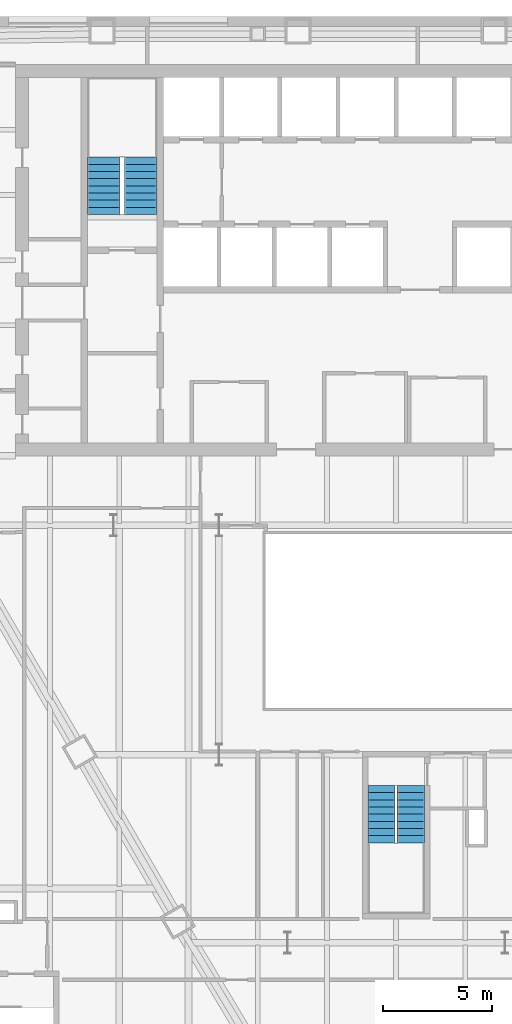
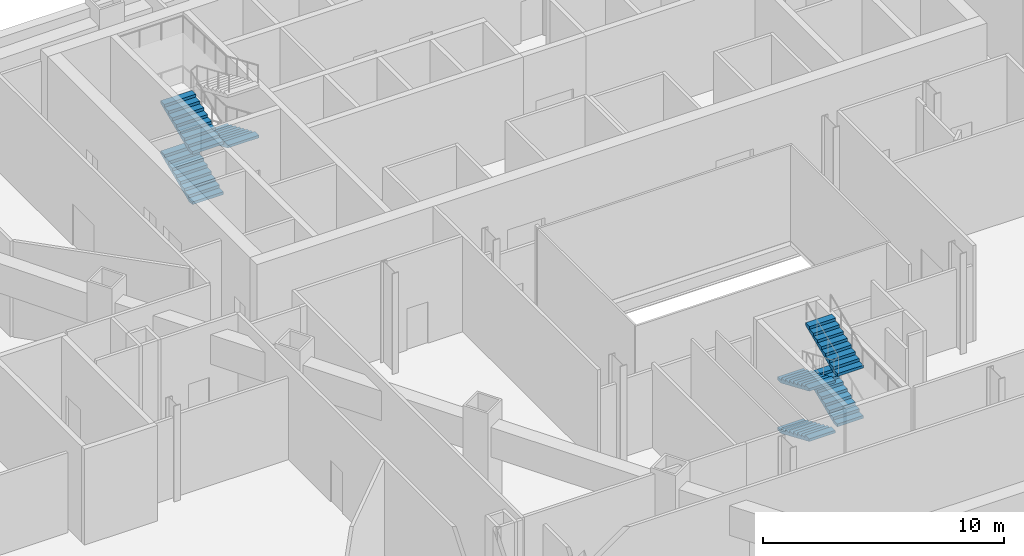
# One storey, part 15 of 17: 7 stair flights, 2 elements without a shape of their own.
"""IFC4 building model written with IfcOpenShell, lengths in metres."""

from ifc_helpers import new_model, si_unit, direction, frame, origin, place, context, subcontext, project, spatial, polygons, material, type_object, element, aggregate, save


model = new_model("IFC4")

# Units and contexts
model_context = context("Model", 3, precision=1e-05, world=origin(), true_north=direction((0.0, 1.0)))
body_context = subcontext(model_context, "Body", "Model", "MODEL_VIEW")
ifc_project = project(units=[si_unit("LENGTHUNIT", "METRE"), si_unit("AREAUNIT", "SQUARE_METRE"), si_unit("VOLUMEUNIT", "CUBIC_METRE"), si_unit("PLANEANGLEUNIT", "RADIAN"), si_unit("MASSUNIT", "GRAM", prefix="KILO")], contexts=[model_context])

# Site, building, storey
site_placement = place(None, origin())
site = spatial("IfcSite", under=ifc_project, at=site_placement, CompositionType="ELEMENT")
building_placement = place(site_placement, origin())
building = spatial("IfcBuilding", under=site, at=building_placement, Name="Njiva Tower", CompositionType="ELEMENT")
storey_placement = place(building_placement, frame((0.0, 0.0, 23.7)))
storey = spatial("IfcBuildingStorey", under=building, at=storey_placement, Name="L04", CompositionType="ELEMENT", Elevation=23.7)

# Stair, stair flights
ifc_material = material(Name="Concrete C40/50", Category="concrete")
stair_type_1 = type_object("IfcStairType", Name="ST1 Exit stair 1250", PredefinedType="HALF_TURN_STAIR", material=ifc_material)
stair_1_placement = place(storey_placement, origin())
stair_1 = element("IfcStair", 1, at=stair_1_placement, inside=storey, type_object=stair_type_1, Name="Stair C", PredefinedType="DOUBLE_RETURN_STAIR")
stair_flight_type_1 = type_object("IfcStairFlightType", Name="FL1 Stair flight 1250", PredefinedType="STRAIGHT", material=ifc_material)
stair_flight_1_placement = place(storey_placement, frame((-0.675, -15.16, 0.0), z_axis=(0.0, 0.0, 1.0), x_axis=(0.0, -1.0, 0.0)))
stair_flight_1 = element("IfcStairFlight", 2, at=stair_flight_1_placement, type_object=stair_flight_type_1, Name="ST-C flight 1", NumberOfRisers=9, NumberOfTreads=8, PredefinedType="STRAIGHT", RiserHeight=0.141666667, TreadLength=0.33, context=body_context, shape_type="Tessellation", body=[
    polygons([(0.0, 0.625, 0.0), (0.0, 0.3125, 0.0), (0.0, 0.0, 0.0), (0.0, -0.3125, 0.0), (0.0, -0.625, 0.0), (0.0, 0.625, 0.1417), (0.0, 0.3125, 0.1417), (0.0, 0.0, 0.1417), (0.0, -0.3125, 0.1417), (0.0, -0.625, 0.1417), (0.33, 0.625, 0.1417), (0.33, 0.3125, 0.1417), (0.33, 0.0, 0.1417), (0.33, -0.3125, 0.1417), (0.33, -0.625, 0.1417), (0.33, 0.625, 0.2833), (0.33, 0.3125, 0.2833), (0.33, 0.0, 0.2833), (0.33, -0.3125, 0.2833), (0.33, -0.625, 0.2833), (0.66, 0.625, 0.2833), (0.66, 0.3125, 0.2833), (0.66, 0.0, 0.2833), (0.66, -0.3125, 0.2833), (0.66, -0.625, 0.2833), (0.66, 0.625, 0.425), (0.66, 0.3125, 0.425), (0.66, 0.0, 0.425), (0.66, -0.3125, 0.425), (0.66, -0.625, 0.425), (0.99, 0.625, 0.425), (0.99, 0.3125, 0.425), (0.99, 0.0, 0.425), (0.99, -0.3125, 0.425), (0.99, -0.625, 0.425), (0.99, 0.625, 0.5667), (0.99, 0.3125, 0.5667), (0.99, 0.0, 0.5667), (0.99, -0.3125, 0.5667), (0.99, -0.625, 0.5667), (1.32, 0.625, 0.5667), (1.32, 0.3125, 0.5667), (1.32, 0.0, 0.5667), (1.32, -0.3125, 0.5667), (1.32, -0.625, 0.5667), (1.32, 0.625, 0.7083), (1.32, 0.3125, 0.7083), (1.32, 0.0, 0.7083), (1.32, -0.3125, 0.7083), (1.32, -0.625, 0.7083), (1.65, 0.625, 0.7083), (1.65, 0.3125, 0.7083), (1.65, 0.0, 0.7083), (1.65, -0.3125, 0.7083), (1.65, -0.625, 0.7083), (1.65, 0.625, 0.85), (1.65, 0.3125, 0.85), (1.65, 0.0, 0.85), (1.65, -0.3125, 0.85), (1.65, -0.625, 0.85), (1.98, 0.625, 0.85), (1.98, 0.3125, 0.85), (1.98, 0.0, 0.85), (1.98, -0.3125, 0.85), (1.98, -0.625, 0.85), (1.98, 0.625, 0.9917), (1.98, 0.3125, 0.9917), (1.98, 0.0, 0.9917), (1.98, -0.3125, 0.9917), (1.98, -0.625, 0.9917), (2.31, 0.625, 0.9917), (2.31, 0.3125, 0.9917), (2.31, 0.0, 0.9917), (2.31, -0.3125, 0.9917), (2.31, -0.625, 0.9917), (2.31, 0.625, 1.1333), (2.31, 0.3125, 1.1333), (2.31, 0.0, 1.1333), (2.31, -0.3125, 1.1333), (2.31, -0.625, 1.1333), (2.64, 0.625, 1.1333), (2.64, 0.3125, 1.1333), (2.64, 0.0, 1.1333), (2.64, -0.3125, 1.1333), (2.64, -0.625, 1.1333), (2.64, 0.625, 1.0027), (2.64, 0.3125, 1.0027), (2.64, 0.0, 1.0027), (2.64, -0.3125, 1.0027), (2.64, -0.625, 1.0027), (0.3042, 0.625, 0.0), (0.3042, 0.3125, 0.0), (0.3042, 0.0, 0.0), (0.3042, -0.3125, 0.0), (0.3042, -0.625, 0.0)], [[[1, 6, 11, 16, 21, 26, 31, 36, 41, 46, 51, 56, 61, 66, 71, 76, 81, 86, 91]], [[95, 90, 85, 80, 75, 70, 65, 60, 55, 50, 45, 40, 35, 30, 25, 20, 15, 10, 5]], [[6, 1, 2, 7]], [[7, 2, 3, 8]], [[8, 3, 4, 9]], [[9, 4, 5, 10]], [[11, 6, 7, 12]], [[12, 7, 8, 13]], [[13, 8, 9, 14]], [[14, 9, 10, 15]], [[16, 11, 12, 17]], [[17, 12, 13, 18]], [[18, 13, 14, 19]], [[19, 14, 15, 20]], [[21, 16, 17, 22]], [[22, 17, 18, 23]], [[23, 18, 19, 24]], [[24, 19, 20, 25]], [[26, 21, 22, 27]], [[27, 22, 23, 28]], [[28, 23, 24, 29]], [[29, 24, 25, 30]], [[31, 26, 27, 32]], [[32, 27, 28, 33]], [[33, 28, 29, 34]], [[34, 29, 30, 35]], [[36, 31, 32, 37]], [[37, 32, 33, 38]], [[38, 33, 34, 39]], [[39, 34, 35, 40]], [[41, 36, 37, 42]], [[42, 37, 38, 43]], [[43, 38, 39, 44]], [[44, 39, 40, 45]], [[46, 41, 42, 47]], [[47, 42, 43, 48]], [[48, 43, 44, 49]], [[49, 44, 45, 50]], [[51, 46, 47, 52]], [[52, 47, 48, 53]], [[53, 48, 49, 54]], [[54, 49, 50, 55]], [[56, 51, 52, 57]], [[57, 52, 53, 58]], [[58, 53, 54, 59]], [[59, 54, 55, 60]], [[61, 56, 57, 62]], [[62, 57, 58, 63]], [[63, 58, 59, 64]], [[64, 59, 60, 65]], [[66, 61, 62, 67]], [[67, 62, 63, 68]], [[68, 63, 64, 69]], [[69, 64, 65, 70]], [[71, 66, 67, 72]], [[72, 67, 68, 73]], [[73, 68, 69, 74]], [[74, 69, 70, 75]], [[76, 71, 72, 77]], [[77, 72, 73, 78]], [[78, 73, 74, 79]], [[79, 74, 75, 80]], [[81, 76, 77, 82]], [[82, 77, 78, 83]], [[83, 78, 79, 84]], [[84, 79, 80, 85]], [[86, 81, 82, 87]], [[87, 82, 83, 88]], [[88, 83, 84, 89]], [[89, 84, 85, 90]], [[91, 86, 87, 92]], [[92, 87, 88, 93]], [[93, 88, 89, 94]], [[94, 89, 90, 95]], [[1, 91, 92, 2]], [[2, 92, 93, 3]], [[3, 93, 94, 4]], [[4, 94, 95, 5]]], closed=True),
])
stair_flight_2_placement = place(storey_placement, frame((0.675, -17.8, 1.275), z_axis=(0.0, 0.0, 1.0), x_axis=(0.0, 1.0, 0.0)))
stair_flight_2 = element("IfcStairFlight", 3, at=stair_flight_2_placement, type_object=stair_flight_type_1, Name="ST-C flight 2", NumberOfRisers=9, NumberOfTreads=8, PredefinedType="STRAIGHT", RiserHeight=0.141666667, TreadLength=0.33, context=body_context, shape_type="Tessellation", body=[
    polygons([(0.0, 0.625, 0.0), (0.0, 0.3125, 0.0), (0.0, 0.0, 0.0), (0.0, -0.3125, 0.0), (0.0, -0.625, 0.0), (0.0, 0.625, 0.1417), (0.0, 0.3125, 0.1417), (0.0, 0.0, 0.1417), (0.0, -0.3125, 0.1417), (0.0, -0.625, 0.1417), (0.33, 0.625, 0.1417), (0.33, 0.3125, 0.1417), (0.33, 0.0, 0.1417), (0.33, -0.3125, 0.1417), (0.33, -0.625, 0.1417), (0.33, 0.625, 0.2833), (0.33, 0.3125, 0.2833), (0.33, 0.0, 0.2833), (0.33, -0.3125, 0.2833), (0.33, -0.625, 0.2833), (0.66, 0.625, 0.2833), (0.66, 0.3125, 0.2833), (0.66, 0.0, 0.2833), (0.66, -0.3125, 0.2833), (0.66, -0.625, 0.2833), (0.66, 0.625, 0.425), (0.66, 0.3125, 0.425), (0.66, 0.0, 0.425), (0.66, -0.3125, 0.425), (0.66, -0.625, 0.425), (0.99, 0.625, 0.425), (0.99, 0.3125, 0.425), (0.99, 0.0, 0.425), (0.99, -0.3125, 0.425), (0.99, -0.625, 0.425), (0.99, 0.625, 0.5667), (0.99, 0.3125, 0.5667), (0.99, 0.0, 0.5667), (0.99, -0.3125, 0.5667), (0.99, -0.625, 0.5667), (1.32, 0.625, 0.5667), (1.32, 0.3125, 0.5667), (1.32, 0.0, 0.5667), (1.32, -0.3125, 0.5667), (1.32, -0.625, 0.5667), (1.32, 0.625, 0.7083), (1.32, 0.3125, 0.7083), (1.32, 0.0, 0.7083), (1.32, -0.3125, 0.7083), (1.32, -0.625, 0.7083), (1.65, 0.625, 0.7083), (1.65, 0.3125, 0.7083), (1.65, 0.0, 0.7083), (1.65, -0.3125, 0.7083), (1.65, -0.625, 0.7083), (1.65, 0.625, 0.85), (1.65, 0.3125, 0.85), (1.65, 0.0, 0.85), (1.65, -0.3125, 0.85), (1.65, -0.625, 0.85), (1.98, 0.625, 0.85), (1.98, 0.3125, 0.85), (1.98, 0.0, 0.85), (1.98, -0.3125, 0.85), (1.98, -0.625, 0.85), (1.98, 0.625, 0.9917), (1.98, 0.3125, 0.9917), (1.98, 0.0, 0.9917), (1.98, -0.3125, 0.9917), (1.98, -0.625, 0.9917), (2.31, 0.625, 0.9917), (2.31, 0.3125, 0.9917), (2.31, 0.0, 0.9917), (2.31, -0.3125, 0.9917), (2.31, -0.625, 0.9917), (2.31, 0.625, 1.1333), (2.31, 0.3125, 1.1333), (2.31, 0.0, 1.1333), (2.31, -0.3125, 1.1333), (2.31, -0.625, 1.1333), (2.64, 0.625, 1.1333), (2.64, 0.3125, 1.1333), (2.64, 0.0, 1.1333), (2.64, -0.3125, 1.1333), (2.64, -0.625, 1.1333), (2.64, 0.625, 1.0027), (2.64, 0.3125, 1.0027), (2.64, 0.0, 1.0027), (2.64, -0.3125, 1.0027), (2.64, -0.625, 1.0027), (0.3042, 0.625, 0.0), (0.3042, 0.3125, 0.0), (0.3042, 0.0, 0.0), (0.3042, -0.3125, 0.0), (0.3042, -0.625, 0.0)], [[[1, 6, 11, 16, 21, 26, 31, 36, 41, 46, 51, 56, 61, 66, 71, 76, 81, 86, 91]], [[95, 90, 85, 80, 75, 70, 65, 60, 55, 50, 45, 40, 35, 30, 25, 20, 15, 10, 5]], [[6, 1, 2, 7]], [[7, 2, 3, 8]], [[8, 3, 4, 9]], [[9, 4, 5, 10]], [[11, 6, 7, 12]], [[12, 7, 8, 13]], [[13, 8, 9, 14]], [[14, 9, 10, 15]], [[16, 11, 12, 17]], [[17, 12, 13, 18]], [[18, 13, 14, 19]], [[19, 14, 15, 20]], [[21, 16, 17, 22]], [[22, 17, 18, 23]], [[23, 18, 19, 24]], [[24, 19, 20, 25]], [[26, 21, 22, 27]], [[27, 22, 23, 28]], [[28, 23, 24, 29]], [[29, 24, 25, 30]], [[31, 26, 27, 32]], [[32, 27, 28, 33]], [[33, 28, 29, 34]], [[34, 29, 30, 35]], [[36, 31, 32, 37]], [[37, 32, 33, 38]], [[38, 33, 34, 39]], [[39, 34, 35, 40]], [[41, 36, 37, 42]], [[42, 37, 38, 43]], [[43, 38, 39, 44]], [[44, 39, 40, 45]], [[46, 41, 42, 47]], [[47, 42, 43, 48]], [[48, 43, 44, 49]], [[49, 44, 45, 50]], [[51, 46, 47, 52]], [[52, 47, 48, 53]], [[53, 48, 49, 54]], [[54, 49, 50, 55]], [[56, 51, 52, 57]], [[57, 52, 53, 58]], [[58, 53, 54, 59]], [[59, 54, 55, 60]], [[61, 56, 57, 62]], [[62, 57, 58, 63]], [[63, 58, 59, 64]], [[64, 59, 60, 65]], [[66, 61, 62, 67]], [[67, 62, 63, 68]], [[68, 63, 64, 69]], [[69, 64, 65, 70]], [[71, 66, 67, 72]], [[72, 67, 68, 73]], [[73, 68, 69, 74]], [[74, 69, 70, 75]], [[76, 71, 72, 77]], [[77, 72, 73, 78]], [[78, 73, 74, 79]], [[79, 74, 75, 80]], [[81, 76, 77, 82]], [[82, 77, 78, 83]], [[83, 78, 79, 84]], [[84, 79, 80, 85]], [[86, 81, 82, 87]], [[87, 82, 83, 88]], [[88, 83, 84, 89]], [[89, 84, 85, 90]], [[91, 86, 87, 92]], [[92, 87, 88, 93]], [[93, 88, 89, 94]], [[94, 89, 90, 95]], [[1, 91, 92, 2]], [[2, 92, 93, 3]], [[3, 93, 94, 4]], [[4, 94, 95, 5]]], closed=True),
])
stair_flight_3_placement = place(storey_placement, frame((-0.675, -15.16, 2.55), z_axis=(0.0, 0.0, 1.0), x_axis=(0.0, -1.0, 0.0)))
stair_flight_3 = element("IfcStairFlight", 4, at=stair_flight_3_placement, type_object=stair_flight_type_1, Name="ST-C flight 3", NumberOfRisers=9, NumberOfTreads=8, PredefinedType="STRAIGHT", RiserHeight=0.141666667, TreadLength=0.33, context=body_context, shape_type="Tessellation", body=[
    polygons([(0.0, 0.625, 0.0), (0.0, 0.3125, 0.0), (0.0, 0.0, 0.0), (0.0, -0.3125, 0.0), (0.0, -0.625, 0.0), (0.0, 0.625, 0.1417), (0.0, 0.3125, 0.1417), (0.0, 0.0, 0.1417), (0.0, -0.3125, 0.1417), (0.0, -0.625, 0.1417), (0.33, 0.625, 0.1417), (0.33, 0.3125, 0.1417), (0.33, 0.0, 0.1417), (0.33, -0.3125, 0.1417), (0.33, -0.625, 0.1417), (0.33, 0.625, 0.2833), (0.33, 0.3125, 0.2833), (0.33, 0.0, 0.2833), (0.33, -0.3125, 0.2833), (0.33, -0.625, 0.2833), (0.66, 0.625, 0.2833), (0.66, 0.3125, 0.2833), (0.66, 0.0, 0.2833), (0.66, -0.3125, 0.2833), (0.66, -0.625, 0.2833), (0.66, 0.625, 0.425), (0.66, 0.3125, 0.425), (0.66, 0.0, 0.425), (0.66, -0.3125, 0.425), (0.66, -0.625, 0.425), (0.99, 0.625, 0.425), (0.99, 0.3125, 0.425), (0.99, 0.0, 0.425), (0.99, -0.3125, 0.425), (0.99, -0.625, 0.425), (0.99, 0.625, 0.5667), (0.99, 0.3125, 0.5667), (0.99, 0.0, 0.5667), (0.99, -0.3125, 0.5667), (0.99, -0.625, 0.5667), (1.32, 0.625, 0.5667), (1.32, 0.3125, 0.5667), (1.32, 0.0, 0.5667), (1.32, -0.3125, 0.5667), (1.32, -0.625, 0.5667), (1.32, 0.625, 0.7083), (1.32, 0.3125, 0.7083), (1.32, 0.0, 0.7083), (1.32, -0.3125, 0.7083), (1.32, -0.625, 0.7083), (1.65, 0.625, 0.7083), (1.65, 0.3125, 0.7083), (1.65, 0.0, 0.7083), (1.65, -0.3125, 0.7083), (1.65, -0.625, 0.7083), (1.65, 0.625, 0.85), (1.65, 0.3125, 0.85), (1.65, 0.0, 0.85), (1.65, -0.3125, 0.85), (1.65, -0.625, 0.85), (1.98, 0.625, 0.85), (1.98, 0.3125, 0.85), (1.98, 0.0, 0.85), (1.98, -0.3125, 0.85), (1.98, -0.625, 0.85), (1.98, 0.625, 0.9917), (1.98, 0.3125, 0.9917), (1.98, 0.0, 0.9917), (1.98, -0.3125, 0.9917), (1.98, -0.625, 0.9917), (2.31, 0.625, 0.9917), (2.31, 0.3125, 0.9917), (2.31, 0.0, 0.9917), (2.31, -0.3125, 0.9917), (2.31, -0.625, 0.9917), (2.31, 0.625, 1.1333), (2.31, 0.3125, 1.1333), (2.31, 0.0, 1.1333), (2.31, -0.3125, 1.1333), (2.31, -0.625, 1.1333), (2.64, 0.625, 1.1333), (2.64, 0.3125, 1.1333), (2.64, 0.0, 1.1333), (2.64, -0.3125, 1.1333), (2.64, -0.625, 1.1333), (2.64, 0.625, 1.0027), (2.64, 0.3125, 1.0027), (2.64, 0.0, 1.0027), (2.64, -0.3125, 1.0027), (2.64, -0.625, 1.0027), (0.3042, 0.625, 0.0), (0.3042, 0.3125, 0.0), (0.3042, 0.0, 0.0), (0.3042, -0.3125, 0.0), (0.3042, -0.625, 0.0)], [[[1, 6, 11, 16, 21, 26, 31, 36, 41, 46, 51, 56, 61, 66, 71, 76, 81, 86, 91]], [[95, 90, 85, 80, 75, 70, 65, 60, 55, 50, 45, 40, 35, 30, 25, 20, 15, 10, 5]], [[6, 1, 2, 7]], [[7, 2, 3, 8]], [[8, 3, 4, 9]], [[9, 4, 5, 10]], [[11, 6, 7, 12]], [[12, 7, 8, 13]], [[13, 8, 9, 14]], [[14, 9, 10, 15]], [[16, 11, 12, 17]], [[17, 12, 13, 18]], [[18, 13, 14, 19]], [[19, 14, 15, 20]], [[21, 16, 17, 22]], [[22, 17, 18, 23]], [[23, 18, 19, 24]], [[24, 19, 20, 25]], [[26, 21, 22, 27]], [[27, 22, 23, 28]], [[28, 23, 24, 29]], [[29, 24, 25, 30]], [[31, 26, 27, 32]], [[32, 27, 28, 33]], [[33, 28, 29, 34]], [[34, 29, 30, 35]], [[36, 31, 32, 37]], [[37, 32, 33, 38]], [[38, 33, 34, 39]], [[39, 34, 35, 40]], [[41, 36, 37, 42]], [[42, 37, 38, 43]], [[43, 38, 39, 44]], [[44, 39, 40, 45]], [[46, 41, 42, 47]], [[47, 42, 43, 48]], [[48, 43, 44, 49]], [[49, 44, 45, 50]], [[51, 46, 47, 52]], [[52, 47, 48, 53]], [[53, 48, 49, 54]], [[54, 49, 50, 55]], [[56, 51, 52, 57]], [[57, 52, 53, 58]], [[58, 53, 54, 59]], [[59, 54, 55, 60]], [[61, 56, 57, 62]], [[62, 57, 58, 63]], [[63, 58, 59, 64]], [[64, 59, 60, 65]], [[66, 61, 62, 67]], [[67, 62, 63, 68]], [[68, 63, 64, 69]], [[69, 64, 65, 70]], [[71, 66, 67, 72]], [[72, 67, 68, 73]], [[73, 68, 69, 74]], [[74, 69, 70, 75]], [[76, 71, 72, 77]], [[77, 72, 73, 78]], [[78, 73, 74, 79]], [[79, 74, 75, 80]], [[81, 76, 77, 82]], [[82, 77, 78, 83]], [[83, 78, 79, 84]], [[84, 79, 80, 85]], [[86, 81, 82, 87]], [[87, 82, 83, 88]], [[88, 83, 84, 89]], [[89, 84, 85, 90]], [[91, 86, 87, 92]], [[92, 87, 88, 93]], [[93, 88, 89, 94]], [[94, 89, 90, 95]], [[1, 91, 92, 2]], [[2, 92, 93, 3]], [[3, 93, 94, 4]], [[4, 94, 95, 5]]], closed=True),
])
stair_flight_4_placement = place(storey_placement, frame((0.675, -17.8, 3.825), z_axis=(0.0, 0.0, 1.0), x_axis=(0.0, 1.0, 0.0)))
stair_flight_4 = element("IfcStairFlight", 5, at=stair_flight_4_placement, type_object=stair_flight_type_1, Name="ST-C flight 4", NumberOfRisers=9, NumberOfTreads=8, PredefinedType="STRAIGHT", RiserHeight=0.141666667, TreadLength=0.33, context=body_context, shape_type="Tessellation", body=[
    polygons([(0.0, 0.625, 0.0), (0.0, 0.3125, 0.0), (0.0, 0.0, 0.0), (0.0, -0.3125, 0.0), (0.0, -0.625, 0.0), (0.0, 0.625, 0.1417), (0.0, 0.3125, 0.1417), (0.0, 0.0, 0.1417), (0.0, -0.3125, 0.1417), (0.0, -0.625, 0.1417), (0.33, 0.625, 0.1417), (0.33, 0.3125, 0.1417), (0.33, 0.0, 0.1417), (0.33, -0.3125, 0.1417), (0.33, -0.625, 0.1417), (0.33, 0.625, 0.2833), (0.33, 0.3125, 0.2833), (0.33, 0.0, 0.2833), (0.33, -0.3125, 0.2833), (0.33, -0.625, 0.2833), (0.66, 0.625, 0.2833), (0.66, 0.3125, 0.2833), (0.66, 0.0, 0.2833), (0.66, -0.3125, 0.2833), (0.66, -0.625, 0.2833), (0.66, 0.625, 0.425), (0.66, 0.3125, 0.425), (0.66, 0.0, 0.425), (0.66, -0.3125, 0.425), (0.66, -0.625, 0.425), (0.99, 0.625, 0.425), (0.99, 0.3125, 0.425), (0.99, 0.0, 0.425), (0.99, -0.3125, 0.425), (0.99, -0.625, 0.425), (0.99, 0.625, 0.5667), (0.99, 0.3125, 0.5667), (0.99, 0.0, 0.5667), (0.99, -0.3125, 0.5667), (0.99, -0.625, 0.5667), (1.32, 0.625, 0.5667), (1.32, 0.3125, 0.5667), (1.32, 0.0, 0.5667), (1.32, -0.3125, 0.5667), (1.32, -0.625, 0.5667), (1.32, 0.625, 0.7083), (1.32, 0.3125, 0.7083), (1.32, 0.0, 0.7083), (1.32, -0.3125, 0.7083), (1.32, -0.625, 0.7083), (1.65, 0.625, 0.7083), (1.65, 0.3125, 0.7083), (1.65, 0.0, 0.7083), (1.65, -0.3125, 0.7083), (1.65, -0.625, 0.7083), (1.65, 0.625, 0.85), (1.65, 0.3125, 0.85), (1.65, 0.0, 0.85), (1.65, -0.3125, 0.85), (1.65, -0.625, 0.85), (1.98, 0.625, 0.85), (1.98, 0.3125, 0.85), (1.98, 0.0, 0.85), (1.98, -0.3125, 0.85), (1.98, -0.625, 0.85), (1.98, 0.625, 0.9917), (1.98, 0.3125, 0.9917), (1.98, 0.0, 0.9917), (1.98, -0.3125, 0.9917), (1.98, -0.625, 0.9917), (2.31, 0.625, 0.9917), (2.31, 0.3125, 0.9917), (2.31, 0.0, 0.9917), (2.31, -0.3125, 0.9917), (2.31, -0.625, 0.9917), (2.31, 0.625, 1.1333), (2.31, 0.3125, 1.1333), (2.31, 0.0, 1.1333), (2.31, -0.3125, 1.1333), (2.31, -0.625, 1.1333), (2.64, 0.625, 1.1333), (2.64, 0.3125, 1.1333), (2.64, 0.0, 1.1333), (2.64, -0.3125, 1.1333), (2.64, -0.625, 1.1333), (2.64, 0.625, 1.0027), (2.64, 0.3125, 1.0027), (2.64, 0.0, 1.0027), (2.64, -0.3125, 1.0027), (2.64, -0.625, 1.0027), (0.3042, 0.625, 0.0), (0.3042, 0.3125, 0.0), (0.3042, 0.0, 0.0), (0.3042, -0.3125, 0.0), (0.3042, -0.625, 0.0)], [[[1, 6, 11, 16, 21, 26, 31, 36, 41, 46, 51, 56, 61, 66, 71, 76, 81, 86, 91]], [[95, 90, 85, 80, 75, 70, 65, 60, 55, 50, 45, 40, 35, 30, 25, 20, 15, 10, 5]], [[6, 1, 2, 7]], [[7, 2, 3, 8]], [[8, 3, 4, 9]], [[9, 4, 5, 10]], [[11, 6, 7, 12]], [[12, 7, 8, 13]], [[13, 8, 9, 14]], [[14, 9, 10, 15]], [[16, 11, 12, 17]], [[17, 12, 13, 18]], [[18, 13, 14, 19]], [[19, 14, 15, 20]], [[21, 16, 17, 22]], [[22, 17, 18, 23]], [[23, 18, 19, 24]], [[24, 19, 20, 25]], [[26, 21, 22, 27]], [[27, 22, 23, 28]], [[28, 23, 24, 29]], [[29, 24, 25, 30]], [[31, 26, 27, 32]], [[32, 27, 28, 33]], [[33, 28, 29, 34]], [[34, 29, 30, 35]], [[36, 31, 32, 37]], [[37, 32, 33, 38]], [[38, 33, 34, 39]], [[39, 34, 35, 40]], [[41, 36, 37, 42]], [[42, 37, 38, 43]], [[43, 38, 39, 44]], [[44, 39, 40, 45]], [[46, 41, 42, 47]], [[47, 42, 43, 48]], [[48, 43, 44, 49]], [[49, 44, 45, 50]], [[51, 46, 47, 52]], [[52, 47, 48, 53]], [[53, 48, 49, 54]], [[54, 49, 50, 55]], [[56, 51, 52, 57]], [[57, 52, 53, 58]], [[58, 53, 54, 59]], [[59, 54, 55, 60]], [[61, 56, 57, 62]], [[62, 57, 58, 63]], [[63, 58, 59, 64]], [[64, 59, 60, 65]], [[66, 61, 62, 67]], [[67, 62, 63, 68]], [[68, 63, 64, 69]], [[69, 64, 65, 70]], [[71, 66, 67, 72]], [[72, 67, 68, 73]], [[73, 68, 69, 74]], [[74, 69, 70, 75]], [[76, 71, 72, 77]], [[77, 72, 73, 78]], [[78, 73, 74, 79]], [[79, 74, 75, 80]], [[81, 76, 77, 82]], [[82, 77, 78, 83]], [[83, 78, 79, 84]], [[84, 79, 80, 85]], [[86, 81, 82, 87]], [[87, 82, 83, 88]], [[88, 83, 84, 89]], [[89, 84, 85, 90]], [[91, 86, 87, 92]], [[92, 87, 88, 93]], [[93, 88, 89, 94]], [[94, 89, 90, 95]], [[1, 91, 92, 2]], [[2, 92, 93, 3]], [[3, 93, 94, 4]], [[4, 94, 95, 5]]], closed=True),
])
aggregate(stair_1, [stair_flight_1, stair_flight_2, stair_flight_3, stair_flight_4])

stair_type_2 = type_object("IfcStairType", Name="ST4 Exit stair 1500", PredefinedType="HALF_TURN_STAIR", material=ifc_material)
stair_2_placement = place(storey_placement, origin())
stair_2 = element("IfcStair", 6, at=stair_2_placement, inside=storey, type_object=stair_type_2, Name="Stair A", PredefinedType="DOUBLE_RETURN_STAIR")
stair_flight_type_2 = type_object("IfcStairFlightType", Name="FL4 Stair flight 1500", PredefinedType="STRAIGHT", material=ifc_material)
stair_flight_5_placement = place(storey_placement, frame((-13.45, 11.1, 0.0), z_axis=(0.0, 0.0, 1.0), x_axis=(0.0, 1.0, 0.0)))
stair_flight_5 = element("IfcStairFlight", 7, at=stair_flight_5_placement, type_object=stair_flight_type_2, Name="ST-A flight 1", NumberOfRisers=9, NumberOfTreads=8, PredefinedType="STRAIGHT", RiserHeight=0.141666667, TreadLength=0.33, context=body_context, shape_type="Tessellation", body=[
    polygons([(0.0, 0.75, 0.0), (0.0, 0.375, 0.0), (0.0, 0.0, 0.0), (0.0, -0.375, 0.0), (0.0, -0.75, 0.0), (0.0, 0.75, 0.1417), (0.0, 0.375, 0.1417), (0.0, 0.0, 0.1417), (0.0, -0.375, 0.1417), (0.0, -0.75, 0.1417), (0.33, 0.75, 0.1417), (0.33, 0.375, 0.1417), (0.33, 0.0, 0.1417), (0.33, -0.375, 0.1417), (0.33, -0.75, 0.1417), (0.33, 0.75, 0.2833), (0.33, 0.375, 0.2833), (0.33, 0.0, 0.2833), (0.33, -0.375, 0.2833), (0.33, -0.75, 0.2833), (0.66, 0.75, 0.2833), (0.66, 0.375, 0.2833), (0.66, 0.0, 0.2833), (0.66, -0.375, 0.2833), (0.66, -0.75, 0.2833), (0.66, 0.75, 0.425), (0.66, 0.375, 0.425), (0.66, 0.0, 0.425), (0.66, -0.375, 0.425), (0.66, -0.75, 0.425), (0.99, 0.75, 0.425), (0.99, 0.375, 0.425), (0.99, 0.0, 0.425), (0.99, -0.375, 0.425), (0.99, -0.75, 0.425), (0.99, 0.75, 0.5667), (0.99, 0.375, 0.5667), (0.99, 0.0, 0.5667), (0.99, -0.375, 0.5667), (0.99, -0.75, 0.5667), (1.32, 0.75, 0.5667), (1.32, 0.375, 0.5667), (1.32, 0.0, 0.5667), (1.32, -0.375, 0.5667), (1.32, -0.75, 0.5667), (1.32, 0.75, 0.7083), (1.32, 0.375, 0.7083), (1.32, 0.0, 0.7083), (1.32, -0.375, 0.7083), (1.32, -0.75, 0.7083), (1.65, 0.75, 0.7083), (1.65, 0.375, 0.7083), (1.65, 0.0, 0.7083), (1.65, -0.375, 0.7083), (1.65, -0.75, 0.7083), (1.65, 0.75, 0.85), (1.65, 0.375, 0.85), (1.65, 0.0, 0.85), (1.65, -0.375, 0.85), (1.65, -0.75, 0.85), (1.98, 0.75, 0.85), (1.98, 0.375, 0.85), (1.98, 0.0, 0.85), (1.98, -0.375, 0.85), (1.98, -0.75, 0.85), (1.98, 0.75, 0.9917), (1.98, 0.375, 0.9917), (1.98, 0.0, 0.9917), (1.98, -0.375, 0.9917), (1.98, -0.75, 0.9917), (2.31, 0.75, 0.9917), (2.31, 0.375, 0.9917), (2.31, 0.0, 0.9917), (2.31, -0.375, 0.9917), (2.31, -0.75, 0.9917), (2.31, 0.75, 1.1333), (2.31, 0.375, 1.1333), (2.31, 0.0, 1.1333), (2.31, -0.375, 1.1333), (2.31, -0.75, 1.1333), (2.64, 0.75, 1.1333), (2.64, 0.375, 1.1333), (2.64, 0.0, 1.1333), (2.64, -0.375, 1.1333), (2.64, -0.75, 1.1333), (2.64, 0.75, 1.0027), (2.64, 0.375, 1.0027), (2.64, 0.0, 1.0027), (2.64, -0.375, 1.0027), (2.64, -0.75, 1.0027), (0.3042, 0.75, 0.0), (0.3042, 0.375, 0.0), (0.3042, 0.0, 0.0), (0.3042, -0.375, 0.0), (0.3042, -0.75, 0.0)], [[[1, 6, 11, 16, 21, 26, 31, 36, 41, 46, 51, 56, 61, 66, 71, 76, 81, 86, 91]], [[95, 90, 85, 80, 75, 70, 65, 60, 55, 50, 45, 40, 35, 30, 25, 20, 15, 10, 5]], [[6, 1, 2, 7]], [[7, 2, 3, 8]], [[8, 3, 4, 9]], [[9, 4, 5, 10]], [[11, 6, 7, 12]], [[12, 7, 8, 13]], [[13, 8, 9, 14]], [[14, 9, 10, 15]], [[16, 11, 12, 17]], [[17, 12, 13, 18]], [[18, 13, 14, 19]], [[19, 14, 15, 20]], [[21, 16, 17, 22]], [[22, 17, 18, 23]], [[23, 18, 19, 24]], [[24, 19, 20, 25]], [[26, 21, 22, 27]], [[27, 22, 23, 28]], [[28, 23, 24, 29]], [[29, 24, 25, 30]], [[31, 26, 27, 32]], [[32, 27, 28, 33]], [[33, 28, 29, 34]], [[34, 29, 30, 35]], [[36, 31, 32, 37]], [[37, 32, 33, 38]], [[38, 33, 34, 39]], [[39, 34, 35, 40]], [[41, 36, 37, 42]], [[42, 37, 38, 43]], [[43, 38, 39, 44]], [[44, 39, 40, 45]], [[46, 41, 42, 47]], [[47, 42, 43, 48]], [[48, 43, 44, 49]], [[49, 44, 45, 50]], [[51, 46, 47, 52]], [[52, 47, 48, 53]], [[53, 48, 49, 54]], [[54, 49, 50, 55]], [[56, 51, 52, 57]], [[57, 52, 53, 58]], [[58, 53, 54, 59]], [[59, 54, 55, 60]], [[61, 56, 57, 62]], [[62, 57, 58, 63]], [[63, 58, 59, 64]], [[64, 59, 60, 65]], [[66, 61, 62, 67]], [[67, 62, 63, 68]], [[68, 63, 64, 69]], [[69, 64, 65, 70]], [[71, 66, 67, 72]], [[72, 67, 68, 73]], [[73, 68, 69, 74]], [[74, 69, 70, 75]], [[76, 71, 72, 77]], [[77, 72, 73, 78]], [[78, 73, 74, 79]], [[79, 74, 75, 80]], [[81, 76, 77, 82]], [[82, 77, 78, 83]], [[83, 78, 79, 84]], [[84, 79, 80, 85]], [[86, 81, 82, 87]], [[87, 82, 83, 88]], [[88, 83, 84, 89]], [[89, 84, 85, 90]], [[91, 86, 87, 92]], [[92, 87, 88, 93]], [[93, 88, 89, 94]], [[94, 89, 90, 95]], [[1, 91, 92, 2]], [[2, 92, 93, 3]], [[3, 93, 94, 4]], [[4, 94, 95, 5]]], closed=True),
])
stair_flight_6_placement = place(storey_placement, frame((-11.75, 13.74, 1.275), z_axis=(0.0, 0.0, 1.0), x_axis=(0.0, -1.0, 0.0)))
stair_flight_6 = element("IfcStairFlight", 8, at=stair_flight_6_placement, type_object=stair_flight_type_2, Name="ST-A flight 2", NumberOfRisers=9, NumberOfTreads=8, PredefinedType="STRAIGHT", RiserHeight=0.141666667, TreadLength=0.33, context=body_context, shape_type="Tessellation", body=[
    polygons([(0.0, 0.75, 0.0), (0.0, 0.375, 0.0), (0.0, 0.0, 0.0), (0.0, -0.375, 0.0), (0.0, -0.75, 0.0), (0.0, 0.75, 0.1417), (0.0, 0.375, 0.1417), (0.0, 0.0, 0.1417), (0.0, -0.375, 0.1417), (0.0, -0.75, 0.1417), (0.33, 0.75, 0.1417), (0.33, 0.375, 0.1417), (0.33, 0.0, 0.1417), (0.33, -0.375, 0.1417), (0.33, -0.75, 0.1417), (0.33, 0.75, 0.2833), (0.33, 0.375, 0.2833), (0.33, 0.0, 0.2833), (0.33, -0.375, 0.2833), (0.33, -0.75, 0.2833), (0.66, 0.75, 0.2833), (0.66, 0.375, 0.2833), (0.66, 0.0, 0.2833), (0.66, -0.375, 0.2833), (0.66, -0.75, 0.2833), (0.66, 0.75, 0.425), (0.66, 0.375, 0.425), (0.66, 0.0, 0.425), (0.66, -0.375, 0.425), (0.66, -0.75, 0.425), (0.99, 0.75, 0.425), (0.99, 0.375, 0.425), (0.99, 0.0, 0.425), (0.99, -0.375, 0.425), (0.99, -0.75, 0.425), (0.99, 0.75, 0.5667), (0.99, 0.375, 0.5667), (0.99, 0.0, 0.5667), (0.99, -0.375, 0.5667), (0.99, -0.75, 0.5667), (1.32, 0.75, 0.5667), (1.32, 0.375, 0.5667), (1.32, 0.0, 0.5667), (1.32, -0.375, 0.5667), (1.32, -0.75, 0.5667), (1.32, 0.75, 0.7083), (1.32, 0.375, 0.7083), (1.32, 0.0, 0.7083), (1.32, -0.375, 0.7083), (1.32, -0.75, 0.7083), (1.65, 0.75, 0.7083), (1.65, 0.375, 0.7083), (1.65, 0.0, 0.7083), (1.65, -0.375, 0.7083), (1.65, -0.75, 0.7083), (1.65, 0.75, 0.85), (1.65, 0.375, 0.85), (1.65, 0.0, 0.85), (1.65, -0.375, 0.85), (1.65, -0.75, 0.85), (1.98, 0.75, 0.85), (1.98, 0.375, 0.85), (1.98, 0.0, 0.85), (1.98, -0.375, 0.85), (1.98, -0.75, 0.85), (1.98, 0.75, 0.9917), (1.98, 0.375, 0.9917), (1.98, 0.0, 0.9917), (1.98, -0.375, 0.9917), (1.98, -0.75, 0.9917), (2.31, 0.75, 0.9917), (2.31, 0.375, 0.9917), (2.31, 0.0, 0.9917), (2.31, -0.375, 0.9917), (2.31, -0.75, 0.9917), (2.31, 0.75, 1.1333), (2.31, 0.375, 1.1333), (2.31, 0.0, 1.1333), (2.31, -0.375, 1.1333), (2.31, -0.75, 1.1333), (2.64, 0.75, 1.1333), (2.64, 0.375, 1.1333), (2.64, 0.0, 1.1333), (2.64, -0.375, 1.1333), (2.64, -0.75, 1.1333), (2.64, 0.75, 1.0027), (2.64, 0.375, 1.0027), (2.64, 0.0, 1.0027), (2.64, -0.375, 1.0027), (2.64, -0.75, 1.0027), (0.3042, 0.75, 0.0), (0.3042, 0.375, 0.0), (0.3042, 0.0, 0.0), (0.3042, -0.375, 0.0), (0.3042, -0.75, 0.0)], [[[1, 6, 11, 16, 21, 26, 31, 36, 41, 46, 51, 56, 61, 66, 71, 76, 81, 86, 91]], [[95, 90, 85, 80, 75, 70, 65, 60, 55, 50, 45, 40, 35, 30, 25, 20, 15, 10, 5]], [[6, 1, 2, 7]], [[7, 2, 3, 8]], [[8, 3, 4, 9]], [[9, 4, 5, 10]], [[11, 6, 7, 12]], [[12, 7, 8, 13]], [[13, 8, 9, 14]], [[14, 9, 10, 15]], [[16, 11, 12, 17]], [[17, 12, 13, 18]], [[18, 13, 14, 19]], [[19, 14, 15, 20]], [[21, 16, 17, 22]], [[22, 17, 18, 23]], [[23, 18, 19, 24]], [[24, 19, 20, 25]], [[26, 21, 22, 27]], [[27, 22, 23, 28]], [[28, 23, 24, 29]], [[29, 24, 25, 30]], [[31, 26, 27, 32]], [[32, 27, 28, 33]], [[33, 28, 29, 34]], [[34, 29, 30, 35]], [[36, 31, 32, 37]], [[37, 32, 33, 38]], [[38, 33, 34, 39]], [[39, 34, 35, 40]], [[41, 36, 37, 42]], [[42, 37, 38, 43]], [[43, 38, 39, 44]], [[44, 39, 40, 45]], [[46, 41, 42, 47]], [[47, 42, 43, 48]], [[48, 43, 44, 49]], [[49, 44, 45, 50]], [[51, 46, 47, 52]], [[52, 47, 48, 53]], [[53, 48, 49, 54]], [[54, 49, 50, 55]], [[56, 51, 52, 57]], [[57, 52, 53, 58]], [[58, 53, 54, 59]], [[59, 54, 55, 60]], [[61, 56, 57, 62]], [[62, 57, 58, 63]], [[63, 58, 59, 64]], [[64, 59, 60, 65]], [[66, 61, 62, 67]], [[67, 62, 63, 68]], [[68, 63, 64, 69]], [[69, 64, 65, 70]], [[71, 66, 67, 72]], [[72, 67, 68, 73]], [[73, 68, 69, 74]], [[74, 69, 70, 75]], [[76, 71, 72, 77]], [[77, 72, 73, 78]], [[78, 73, 74, 79]], [[79, 74, 75, 80]], [[81, 76, 77, 82]], [[82, 77, 78, 83]], [[83, 78, 79, 84]], [[84, 79, 80, 85]], [[86, 81, 82, 87]], [[87, 82, 83, 88]], [[88, 83, 84, 89]], [[89, 84, 85, 90]], [[91, 86, 87, 92]], [[92, 87, 88, 93]], [[93, 88, 89, 94]], [[94, 89, 90, 95]], [[1, 91, 92, 2]], [[2, 92, 93, 3]], [[3, 93, 94, 4]], [[4, 94, 95, 5]]], closed=True),
])
stair_flight_7_placement = place(storey_placement, frame((-13.45, 11.1, 2.55), z_axis=(0.0, 0.0, 1.0), x_axis=(0.0, 1.0, 0.0)))
stair_flight_7 = element("IfcStairFlight", 9, at=stair_flight_7_placement, type_object=stair_flight_type_2, Name="ST-A flight 3", NumberOfRisers=9, NumberOfTreads=8, PredefinedType="STRAIGHT", RiserHeight=0.141666667, TreadLength=0.33, context=body_context, shape_type="Tessellation", body=[
    polygons([(0.0, 0.75, 0.0), (0.0, 0.375, 0.0), (0.0, 0.0, 0.0), (0.0, -0.375, 0.0), (0.0, -0.75, 0.0), (0.0, 0.75, 0.1417), (0.0, 0.375, 0.1417), (0.0, 0.0, 0.1417), (0.0, -0.375, 0.1417), (0.0, -0.75, 0.1417), (0.33, 0.75, 0.1417), (0.33, 0.375, 0.1417), (0.33, 0.0, 0.1417), (0.33, -0.375, 0.1417), (0.33, -0.75, 0.1417), (0.33, 0.75, 0.2833), (0.33, 0.375, 0.2833), (0.33, 0.0, 0.2833), (0.33, -0.375, 0.2833), (0.33, -0.75, 0.2833), (0.66, 0.75, 0.2833), (0.66, 0.375, 0.2833), (0.66, 0.0, 0.2833), (0.66, -0.375, 0.2833), (0.66, -0.75, 0.2833), (0.66, 0.75, 0.425), (0.66, 0.375, 0.425), (0.66, 0.0, 0.425), (0.66, -0.375, 0.425), (0.66, -0.75, 0.425), (0.99, 0.75, 0.425), (0.99, 0.375, 0.425), (0.99, 0.0, 0.425), (0.99, -0.375, 0.425), (0.99, -0.75, 0.425), (0.99, 0.75, 0.5667), (0.99, 0.375, 0.5667), (0.99, 0.0, 0.5667), (0.99, -0.375, 0.5667), (0.99, -0.75, 0.5667), (1.32, 0.75, 0.5667), (1.32, 0.375, 0.5667), (1.32, 0.0, 0.5667), (1.32, -0.375, 0.5667), (1.32, -0.75, 0.5667), (1.32, 0.75, 0.7083), (1.32, 0.375, 0.7083), (1.32, 0.0, 0.7083), (1.32, -0.375, 0.7083), (1.32, -0.75, 0.7083), (1.65, 0.75, 0.7083), (1.65, 0.375, 0.7083), (1.65, 0.0, 0.7083), (1.65, -0.375, 0.7083), (1.65, -0.75, 0.7083), (1.65, 0.75, 0.85), (1.65, 0.375, 0.85), (1.65, 0.0, 0.85), (1.65, -0.375, 0.85), (1.65, -0.75, 0.85), (1.98, 0.75, 0.85), (1.98, 0.375, 0.85), (1.98, 0.0, 0.85), (1.98, -0.375, 0.85), (1.98, -0.75, 0.85), (1.98, 0.75, 0.9917), (1.98, 0.375, 0.9917), (1.98, 0.0, 0.9917), (1.98, -0.375, 0.9917), (1.98, -0.75, 0.9917), (2.31, 0.75, 0.9917), (2.31, 0.375, 0.9917), (2.31, 0.0, 0.9917), (2.31, -0.375, 0.9917), (2.31, -0.75, 0.9917), (2.31, 0.75, 1.1333), (2.31, 0.375, 1.1333), (2.31, 0.0, 1.1333), (2.31, -0.375, 1.1333), (2.31, -0.75, 1.1333), (2.64, 0.75, 1.1333), (2.64, 0.375, 1.1333), (2.64, 0.0, 1.1333), (2.64, -0.375, 1.1333), (2.64, -0.75, 1.1333), (2.64, 0.75, 1.0027), (2.64, 0.375, 1.0027), (2.64, 0.0, 1.0027), (2.64, -0.375, 1.0027), (2.64, -0.75, 1.0027), (0.3042, 0.75, 0.0), (0.3042, 0.375, 0.0), (0.3042, 0.0, 0.0), (0.3042, -0.375, 0.0), (0.3042, -0.75, 0.0)], [[[1, 6, 11, 16, 21, 26, 31, 36, 41, 46, 51, 56, 61, 66, 71, 76, 81, 86, 91]], [[95, 90, 85, 80, 75, 70, 65, 60, 55, 50, 45, 40, 35, 30, 25, 20, 15, 10, 5]], [[6, 1, 2, 7]], [[7, 2, 3, 8]], [[8, 3, 4, 9]], [[9, 4, 5, 10]], [[11, 6, 7, 12]], [[12, 7, 8, 13]], [[13, 8, 9, 14]], [[14, 9, 10, 15]], [[16, 11, 12, 17]], [[17, 12, 13, 18]], [[18, 13, 14, 19]], [[19, 14, 15, 20]], [[21, 16, 17, 22]], [[22, 17, 18, 23]], [[23, 18, 19, 24]], [[24, 19, 20, 25]], [[26, 21, 22, 27]], [[27, 22, 23, 28]], [[28, 23, 24, 29]], [[29, 24, 25, 30]], [[31, 26, 27, 32]], [[32, 27, 28, 33]], [[33, 28, 29, 34]], [[34, 29, 30, 35]], [[36, 31, 32, 37]], [[37, 32, 33, 38]], [[38, 33, 34, 39]], [[39, 34, 35, 40]], [[41, 36, 37, 42]], [[42, 37, 38, 43]], [[43, 38, 39, 44]], [[44, 39, 40, 45]], [[46, 41, 42, 47]], [[47, 42, 43, 48]], [[48, 43, 44, 49]], [[49, 44, 45, 50]], [[51, 46, 47, 52]], [[52, 47, 48, 53]], [[53, 48, 49, 54]], [[54, 49, 50, 55]], [[56, 51, 52, 57]], [[57, 52, 53, 58]], [[58, 53, 54, 59]], [[59, 54, 55, 60]], [[61, 56, 57, 62]], [[62, 57, 58, 63]], [[63, 58, 59, 64]], [[64, 59, 60, 65]], [[66, 61, 62, 67]], [[67, 62, 63, 68]], [[68, 63, 64, 69]], [[69, 64, 65, 70]], [[71, 66, 67, 72]], [[72, 67, 68, 73]], [[73, 68, 69, 74]], [[74, 69, 70, 75]], [[76, 71, 72, 77]], [[77, 72, 73, 78]], [[78, 73, 74, 79]], [[79, 74, 75, 80]], [[81, 76, 77, 82]], [[82, 77, 78, 83]], [[83, 78, 79, 84]], [[84, 79, 80, 85]], [[86, 81, 82, 87]], [[87, 82, 83, 88]], [[88, 83, 84, 89]], [[89, 84, 85, 90]], [[91, 86, 87, 92]], [[92, 87, 88, 93]], [[93, 88, 89, 94]], [[94, 89, 90, 95]], [[1, 91, 92, 2]], [[2, 92, 93, 3]], [[3, 93, 94, 4]], [[4, 94, 95, 5]]], closed=True),
])
aggregate(stair_2, [stair_flight_5, stair_flight_6, stair_flight_7])

save(model, "model.ifc")
